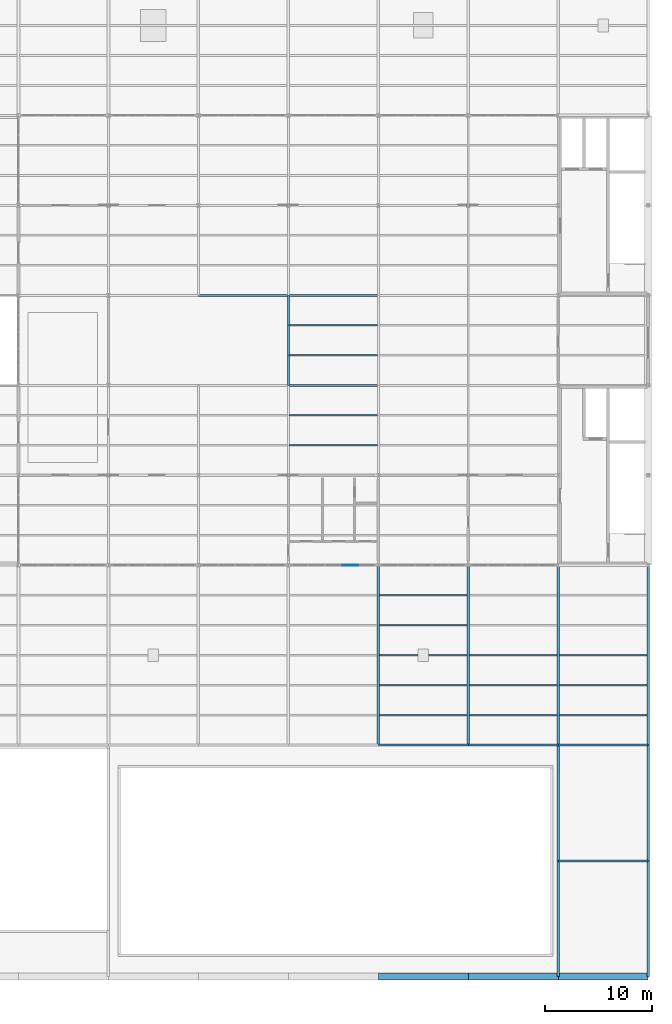
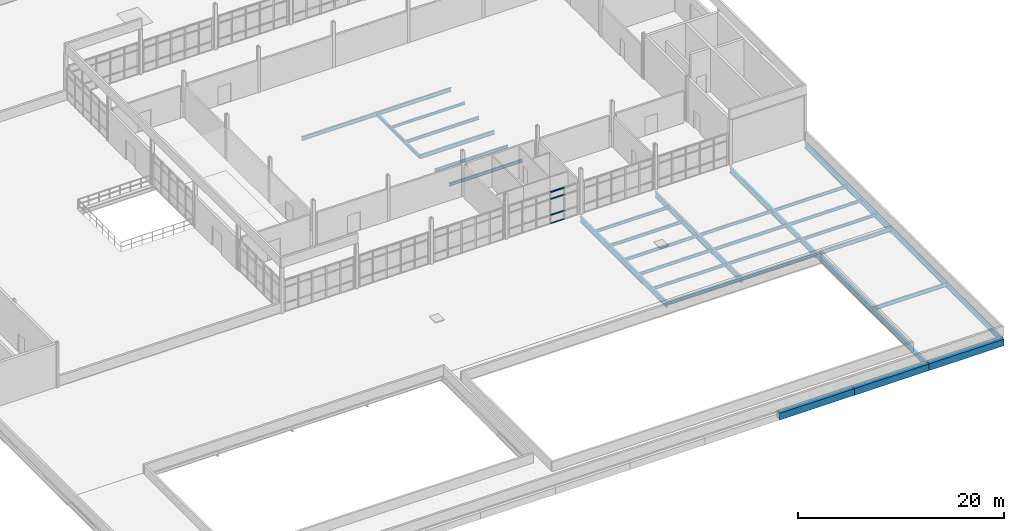
# One storey, part 12 of 33: 34 beams, 4 members, 1 element without a shape of its own.
"""IFC4 building model written with IfcOpenShell, lengths in metres."""

import ifcopenshell
import ifcopenshell.guid

model = None  # the IFC model being written
_history = None  # IfcOwnerHistory: only IFC2X3 demands one
_inside = {}  # id of a spatial element -> (the spatial element, [elements in it])
_under = {}  # id of a project, library or spatial element -> (it, [spatial elements below it])
_declared = {}  # id of a project -> (the project, [libraries it declares])
_typed = {}  # id of a type object -> (the type object, [elements of that type])
_made_of = {}  # id of a material, layer set ... -> (it, [elements and type objects made of it])


def new_model(schema):
    """Start an empty IFC model of exactly this schema.

    Asked for "IFC4X3", IfcOpenShell would pick the latest addendum, in which some entities
    have other attributes; the version numbers below select the first issue.
    IFC2X3 requires an IfcOwnerHistory on every rooted entity: one is made here for all.
    """
    global model, _history
    if schema == "IFC4X3":
        model = ifcopenshell.file(schema_version=(4, 3, 0, 0))
    else:
        model = ifcopenshell.file(schema=schema)
    _inside.clear()
    _under.clear()
    _declared.clear()
    _typed.clear()
    _made_of.clear()
    _history = None
    if model.schema == "IFC2X3":
        org = make("IfcOrganization", Name="unknown")
        user = make(
            "IfcPersonAndOrganization",
            ThePerson=make("IfcPerson", FamilyName="unknown"),
            TheOrganization=org,
        )
        app = make(
            "IfcApplication",
            ApplicationDeveloper=org,
            Version="unknown",
            ApplicationFullName="unknown",
            ApplicationIdentifier="unknown",
        )
        _history = make(
            "IfcOwnerHistory",
            OwningUser=user,
            OwningApplication=app,
            ChangeAction="ADDED",
            CreationDate=0,
        )
    return model


def make(cls, **values):
    """One entity of the class cls with the attributes given. An attribute that is None is left unset."""
    return model.create_entity(
        cls, **{name: value for name, value in values.items() if value is not None}
    )


def rooted(cls, **values):
    """An entity with a GlobalId (a new one), such as an element, a storey or a relation."""
    return make(cls, GlobalId=ifcopenshell.guid.new(), OwnerHistory=_history, **values)


def si_unit(unit_type, name, prefix=None):
    """IfcSIUnit, for example si_unit("LENGTHUNIT", "METRE", prefix="MILLI")."""
    return make("IfcSIUnit", UnitType=unit_type, Prefix=prefix, Name=name)


def assignment(units):
    """IfcUnitAssignment: the units of a project."""
    return None if units is None else make("IfcUnitAssignment", Units=units)


def point(xyz):
    """IfcCartesianPoint."""
    return None if xyz is None else make("IfcCartesianPoint", Coordinates=xyz)


def direction(xyz):
    """IfcDirection."""
    return None if xyz is None else make("IfcDirection", DirectionRatios=xyz)


def frame(location, z_axis=None, x_axis=None):
    """IfcAxis2Placement3D, a coordinate frame: its origin and axes. An axis left out is left unset."""
    return make(
        "IfcAxis2Placement3D",
        Location=point(location),
        Axis=direction(z_axis),
        RefDirection=direction(x_axis),
    )


def frame_2d(location, x_axis=None):
    """IfcAxis2Placement2D, a coordinate frame in the plane: its origin and x axis."""
    return make(
        "IfcAxis2Placement2D", Location=point(location), RefDirection=direction(x_axis)
    )


def origin():
    """The frame at (0, 0, 0) with its axes left unset."""
    return frame((0.0, 0.0, 0.0))


def origin_2d():
    """The frame at (0, 0) in the plane with its x axis left unset."""
    return frame_2d((0.0, 0.0))


def place(relative_to, where):
    """IfcLocalPlacement: puts the frame where relative to a parent placement (None: the world)."""
    return make(
        "IfcLocalPlacement", PlacementRelTo=relative_to, RelativePlacement=where
    )


def context(
    kind, dimensions, precision=None, world=None, true_north=None, identifier=None
):
    """IfcGeometricRepresentationContext, for example the 3D "Model" context."""
    return make(
        "IfcGeometricRepresentationContext",
        ContextIdentifier=identifier,
        ContextType=kind,
        CoordinateSpaceDimension=dimensions,
        Precision=precision,
        WorldCoordinateSystem=world,
        TrueNorth=true_north,
    )


def subcontext(parent, identifier, kind, view, scale=None):
    """IfcGeometricRepresentationSubContext, for example "Body" below "Model"."""
    return make(
        "IfcGeometricRepresentationSubContext",
        ContextIdentifier=identifier,
        ContextType=kind,
        ParentContext=parent,
        TargetScale=scale,
        TargetView=view,
    )


def project(units=None, contexts=None):
    """IfcProject with its units and contexts."""
    return rooted(
        "IfcProject",
        Name="project",
        RepresentationContexts=contexts,
        UnitsInContext=assignment(units),
    )


def spatial(cls, under=None, at=None, **own):
    """A site, building, storey or space (cls), placed at a placement, below another one or the project."""
    s = rooted(cls, ObjectPlacement=at, **own)
    if under is not None:
        _under.setdefault(under.id(), (under, []))[1].append(s)
    return s


def profile(cls, at=None, kind="AREA", **sizes):
    """A parametric profile (cls). Its sizes go by their IFC names, for example OverallWidth=200.0."""
    return make(cls, ProfileType=kind, Position=at, **sizes)


def rectangle(**sizes):
    """IfcRectangleProfileDef."""
    return profile("IfcRectangleProfileDef", **sizes)


def i_section(**sizes):
    """IfcIShapeProfileDef."""
    return profile("IfcIShapeProfileDef", **sizes)


def extrude(swept, where, along, depth):
    """IfcExtrudedAreaSolid: the profile swept, set in the frame where, extruded along a direction by depth."""
    return make(
        "IfcExtrudedAreaSolid",
        SweptArea=swept,
        Position=where,
        ExtrudedDirection=direction(along),
        Depth=depth,
    )


def shape(context_of_items, identifier, shape_type, items):
    """IfcShapeRepresentation: the items that make up one representation, for example the "Body"."""
    return make(
        "IfcShapeRepresentation",
        ContextOfItems=context_of_items,
        RepresentationIdentifier=identifier,
        RepresentationType=shape_type,
        Items=items,
    )


def material(Name=None, Category=None):
    """IfcMaterial."""
    return make("IfcMaterial", Name=Name, Category=Category)


def layer(
    of_material, thickness, ventilated=None, Name=None, Category=None, Priority=None
):
    """IfcMaterialLayer: one layer of a wall or slab, of a material (None: an air gap)."""
    return make(
        "IfcMaterialLayer",
        Material=of_material,
        LayerThickness=thickness,
        IsVentilated=ventilated,
        Name=Name,
        Category=Category,
        Priority=Priority,
    )


def layer_set(layers, Name=None):
    """IfcMaterialLayerSet."""
    return make("IfcMaterialLayerSet", MaterialLayers=layers, LayerSetName=Name)


def material_profile(
    of_material, cross_section, Name=None, Category=None, Priority=None
):
    """IfcMaterialProfile: a cross section and its material."""
    return make(
        "IfcMaterialProfile",
        Name=Name,
        Material=of_material,
        Profile=cross_section,
        Priority=Priority,
        Category=Category,
    )


def profile_set(profiles, Name=None, composite=None):
    """IfcMaterialProfileSet."""
    return make(
        "IfcMaterialProfileSet",
        Name=Name,
        MaterialProfiles=profiles,
        CompositeProfile=composite,
    )


def made_of(thing, what):
    """Note that an element or type object is made of a material, layer set ...; save() writes the relation."""
    if what is not None:
        _made_of.setdefault(what.id(), (what, []))[1].append(thing)
    return thing


def type_object(cls, material=None, **own):
    """A type object (cls), such as IfcWallType, which elements share."""
    return made_of(rooted(cls, **own), material)


def element(
    cls,
    number,
    at=None,
    inside=None,
    cuts=None,
    type_object=None,
    material=None,
    context=None,
    identifier="Body",
    shape_type=None,
    held_by="IfcProductDefinitionShape",
    body=None,
    shapes=None,
    **own,
):
    """One element of the class cls, such as IfcWall. Its Tag is "e" and its number.

    at: its placement. inside: the storey or other place that contains it. cuts: it is an
    opening in that element (IfcRelVoidsElement). A single representation is given by context,
    identifier, shape_type and body (its items); several are given by shapes. held_by: the class
    of the entity that holds the representations. save() writes the other relations.
    """
    e = rooted(cls, Tag="e%d" % number, ObjectPlacement=at, **own)
    if body is not None:
        shapes = [shape(context, identifier, shape_type, body)]
    if shapes is not None:
        e.Representation = make(held_by, Representations=shapes)
    if inside is not None:
        _inside.setdefault(inside.id(), (inside, []))[1].append(e)
    if cuts is not None:
        rooted(
            "IfcRelVoidsElement", RelatingBuildingElement=cuts, RelatedOpeningElement=e
        )
    if type_object is not None:
        _typed.setdefault(type_object.id(), (type_object, []))[1].append(e)
    return made_of(e, material)


def aggregate(whole, parts):
    """IfcRelAggregates: a whole, such as a stair, and the parts it consists of."""
    return rooted("IfcRelAggregates", RelatingObject=whole, RelatedObjects=parts)


def save(model, path):
    """Write the relations noted so far, then the file.

    IfcRelAggregates (storeys below a building ...), IfcRelContainedInSpatialStructure (elements
    in a storey), IfcRelDefinesByType, IfcRelAssociatesMaterial and IfcRelDeclares: one each for
    every whole, place, type object, material and project.
    """
    for whole, parts in _under.values():
        aggregate(whole, parts)
    for where, things in _inside.values():
        rooted(
            "IfcRelContainedInSpatialStructure",
            RelatedElements=things,
            RelatingStructure=where,
        )
    for kind, things in _typed.values():
        rooted("IfcRelDefinesByType", RelatedObjects=things, RelatingType=kind)
    for what, things in _made_of.values():
        rooted("IfcRelAssociatesMaterial", RelatedObjects=things, RelatingMaterial=what)
    for by, libraries in _declared.values():
        rooted("IfcRelDeclares", RelatingContext=by, RelatedDefinitions=libraries)
    model.write(path)


model = new_model("IFC4")

# Units and contexts
model_context = context("Model", 3, precision=1e-05, world=origin(), true_north=direction((0.0, 1.0)))
body_context = subcontext(model_context, "Body", "Model", "MODEL_VIEW")
ifc_project = project(units=[si_unit("LENGTHUNIT", "METRE"), si_unit("AREAUNIT", "SQUARE_METRE"), si_unit("VOLUMEUNIT", "CUBIC_METRE"), si_unit("PLANEANGLEUNIT", "RADIAN"), si_unit("MASSUNIT", "GRAM", prefix="KILO"), si_unit("THERMODYNAMICTEMPERATUREUNIT", "KELVIN"), si_unit("POWERUNIT", "WATT")], contexts=[model_context])

# Site, building, storey
site_placement = place(None, origin())
site = spatial("IfcSite", under=ifc_project, at=site_placement, CompositionType="ELEMENT")
building_placement = place(site_placement, origin())
building = spatial("IfcBuilding", under=site, at=building_placement, Name="Tembeka Court Mobility Hub", CompositionType="ELEMENT")
storey_placement = place(building_placement, frame((0.0, 0.0, 23.39990234375)))
storey = spatial("IfcBuildingStorey", under=building, at=storey_placement, Name="L06", CompositionType="ELEMENT", Elevation=23.39990234375)

# Beams
ifc_material_1 = material(Name="Steel S355", Category="steel")
ifc_material_profile_1 = material_profile(ifc_material_1, i_section(OverallWidth=0.18994140625, OverallDepth=0.45703125, WebThickness=0.009033203125, FlangeThickness=0.014404296875, FilletRadius=0.01025390625, at=origin_2d()), Name="UKB 457x191x74")
ifc_profile_set_1 = profile_set([ifc_material_profile_1], Name="Steel S355")
beam_type_1 = type_object("IfcBeamType", Name="BM-B01", PredefinedType="BEAM", material=ifc_profile_set_1)
beam_1_placement = place(storey_placement, frame((84.0, 10.800048828125, -0.45849609375), z_axis=(1.0, 0.0, 0.0), x_axis=(0.0, 1.0, 0.0)))
element("IfcBeam", 1, at=beam_1_placement, inside=storey, type_object=beam_type_1, Name="Beam B01 (BM-L06-X3099)", PredefinedType="BEAM", context=body_context, shape_type="SweptSolid", body=[
    extrude(i_section(OverallWidth=0.18994140625, OverallDepth=0.45703125, WebThickness=0.009033203125, FlangeThickness=0.014404296875, FilletRadius=0.01025390625, at=origin_2d()), origin(), (0.0, 0.0, 1.0), 8.39990234375),
])
beam_2_placement = place(storey_placement, frame((67.199951171875, 21.60009765625, -0.45849609375), z_axis=(1.0, 0.0, 0.0), x_axis=(0.0, 1.0, 0.0)))
element("IfcBeam", 2, at=beam_2_placement, inside=storey, type_object=beam_type_1, Name="Beam B01 (BM-L06-X3108)", PredefinedType="BEAM", context=body_context, shape_type="SweptSolid", body=[
    extrude(i_section(OverallWidth=0.18994140625, OverallDepth=0.45703125, WebThickness=0.009033203125, FlangeThickness=0.014404296875, FilletRadius=0.01025390625, at=origin_2d()), origin(), (0.0, 0.0, 1.0), 8.400146484375),
])
for number, where, z_axis, x_axis, name in (
    (3, (75.60009765625, 21.60009765625, -0.45849609375), (1.0, 0.0, 0.0), (0.0, 1.0, 0.0), "Beam B01 (BM-L06-X3109)"),
    (4, (84.0, 21.60009765625, -0.45849609375), (1.0, 0.0, 0.0), (0.0, 1.0, 0.0), "Beam B01 (BM-L06-X3110)"),
    (5, (58.800048828125, 55.199951171875, -0.478515625), (1.0, 0.0, 0.0), (0.0, 1.0, 0.0), "Beam B01 (BM-L06-X3138)"),
):
    element("IfcBeam", number, at=place(storey_placement, frame(where, z_axis=z_axis, x_axis=x_axis)), inside=storey, type_object=beam_type_1, Name=name, PredefinedType="BEAM", context=body_context, shape_type="SweptSolid", body=[
        extrude(i_section(OverallWidth=0.18994140625, OverallDepth=0.45703125, WebThickness=0.009033203125, FlangeThickness=0.014404296875, FilletRadius=0.01025390625, at=origin_2d()), origin(), (0.0, 0.0, 1.0), 8.39990234375),
    ])
beam_3_placement = place(storey_placement, frame((50.39990234375, 63.60009765625, -0.478515625), z_axis=(1.0, 0.0, 0.0), x_axis=(0.0, 1.0, 0.0)))
element("IfcBeam", 6, at=beam_3_placement, inside=storey, type_object=beam_type_1, Name="Beam B01 (BM-L06-X3148)", PredefinedType="BEAM", context=body_context, shape_type="SweptSolid", body=[
    extrude(i_section(OverallWidth=0.18994140625, OverallDepth=0.45703125, WebThickness=0.009033203125, FlangeThickness=0.014404296875, FilletRadius=0.01025390625, at=origin_2d()), origin(), (0.0, 0.0, 1.0), 8.400146484375),
])
beam_4_placement = place(storey_placement, frame((58.800048828125, 63.60009765625, -0.478515625), z_axis=(1.0, 0.0, 0.0), x_axis=(0.0, 1.0, 0.0)))
element("IfcBeam", 7, at=beam_4_placement, inside=storey, type_object=beam_type_1, Name="Beam B01 (BM-L06-X3149)", PredefinedType="BEAM", context=body_context, shape_type="SweptSolid", body=[
    extrude(i_section(OverallWidth=0.18994140625, OverallDepth=0.45703125, WebThickness=0.009033203125, FlangeThickness=0.014404296875, FilletRadius=0.01025390625, at=origin_2d()), origin(), (0.0, 0.0, 1.0), 8.39990234375),
])
ifc_material_profile_2 = material_profile(ifc_material_1, i_section(OverallWidth=0.177978515625, OverallDepth=0.406005859375, WebThickness=0.0078125, FlangeThickness=0.0126953125, FilletRadius=0.01025390625, at=origin_2d()), Name="UKB 406x178x60")
ifc_profile_set_2 = profile_set([ifc_material_profile_2], Name="Steel S355")
beam_type_2 = type_object("IfcBeamType", Name="BM-B02", PredefinedType="BEAM", material=ifc_profile_set_2)
beam_5_placement = place(storey_placement, frame((58.800048828125, 55.199951171875, -0.452880859375), z_axis=(0.0, 1.0, 0.0), x_axis=(-1.0, 0.0, 0.0)))
element("IfcBeam", 8, at=beam_5_placement, inside=storey, type_object=beam_type_2, Name="Beam B02 (BM-L06-Y3257)", PredefinedType="BEAM", context=body_context, shape_type="SweptSolid", body=[
    extrude(i_section(OverallWidth=0.177978515625, OverallDepth=0.406005859375, WebThickness=0.0078125, FlangeThickness=0.0126953125, FilletRadius=0.01025390625, at=origin_2d()), origin(), (0.0, 0.0, 1.0), 8.400146484375),
])
ifc_material_profile_3 = material_profile(ifc_material_1, i_section(OverallWidth=0.25390625, OverallDepth=0.68408203125, WebThickness=0.012451171875, FlangeThickness=0.01904296875, FilletRadius=0.01513671875, at=origin_2d()), Name="UKB 686x254x140")
ifc_profile_set_3 = profile_set([ifc_material_profile_3], Name="Steel S355")
beam_type_3 = type_object("IfcBeamType", Name="BM-G01", PredefinedType="USERDEFINED", material=ifc_profile_set_3)
for number, where, z_axis, x_axis, name in (
    (9, (67.199951171875, 21.60009765625, -0.591796875), (0.0, 1.0, 0.0), (-1.0, 0.0, 0.0), "Beam G01 (BM-L06-Y3261)"),
    (10, (75.60009765625, 21.60009765625, -0.591796875), (0.0, 1.0, 0.0), (-1.0, 0.0, 0.0), "Beam G01 (BM-L06-Y3268)"),
    (11, (84.0, 21.60009765625, -0.591796875), (0.0, 1.0, 0.0), (-1.0, 0.0, 0.0), "Beam G01 (BM-L06-Y3277)"),
    (12, (92.39990234375, 21.60009765625, -0.591796875), (0.0, 1.0, 0.0), (-1.0, 0.0, 0.0), "Beam G01 (BM-L06-Y3288)"),
):
    element("IfcBeam", number, at=place(storey_placement, frame(where, z_axis=z_axis, x_axis=x_axis)), inside=storey, type_object=beam_type_3, Name=name, ObjectType="GIRDER", PredefinedType="USERDEFINED", context=body_context, shape_type="SweptSolid", body=[
        extrude(i_section(OverallWidth=0.25390625, OverallDepth=0.68408203125, WebThickness=0.012451171875, FlangeThickness=0.01904296875, FilletRadius=0.01513671875, at=origin_2d()), origin(), (0.0, 0.0, 1.0), 16.7998046875),
    ])
ifc_material_profile_4 = material_profile(ifc_material_1, i_section(OverallWidth=0.22900390625, OverallDepth=0.612060546875, WebThickness=0.011962890625, FlangeThickness=0.01953125, FilletRadius=0.0126953125, at=origin_2d()), Name="UKB 610x229x125")
ifc_profile_set_4 = profile_set([ifc_material_profile_4], Name="Steel S355")
beam_type_4 = type_object("IfcBeamType", Name="BM-G02", PredefinedType="USERDEFINED", material=ifc_profile_set_4)
for number, where, z_axis, x_axis, name in (
    (13, (84.0, 0.0, -0.535888671875), (0.0, 1.0, 0.0), (-1.0, 0.0, 0.0), "Beam G02 (BM-L06-Y3275)"),
    (14, (84.0, 10.800048828125, -0.535888671875), (0.0, 1.0, 0.0), (-1.0, 0.0, 0.0), "Beam G02 (BM-L06-Y3276)"),
    (15, (92.39990234375, 0.0, -0.535888671875), (0.0, 1.0, 0.0), (-1.0, 0.0, 0.0), "Beam G02 (BM-L06-Y3286)"),
    (16, (92.39990234375, 10.800048828125, -0.535888671875), (0.0, 1.0, 0.0), (-1.0, 0.0, 0.0), "Beam G02 (BM-L06-Y3287)"),
):
    element("IfcBeam", number, at=place(storey_placement, frame(where, z_axis=z_axis, x_axis=x_axis)), inside=storey, type_object=beam_type_4, Name=name, ObjectType="GIRDER", PredefinedType="USERDEFINED", context=body_context, shape_type="SweptSolid", body=[
        extrude(i_section(OverallWidth=0.22900390625, OverallDepth=0.612060546875, WebThickness=0.011962890625, FlangeThickness=0.01953125, FilletRadius=0.0126953125, at=origin_2d()), origin(), (0.0, 0.0, 1.0), 10.800048828125),
    ])
ifc_material_profile_5 = material_profile(ifc_material_1, i_section(OverallWidth=0.172119140625, OverallDepth=0.35498046875, WebThickness=0.00732421875, FlangeThickness=0.011474609375, FilletRadius=0.01025390625, at=origin_2d()), Name="UKB 356x171x51")
ifc_profile_set_5 = profile_set([ifc_material_profile_5], Name="Steel S355")
beam_type_5 = type_object("IfcBeamType", Name="BM-J01", PredefinedType="JOIST", material=ifc_profile_set_5)
for number, where, z_axis, x_axis, name in (
    (17, (67.322021484375, 24.39990234375, -0.407470703125), (1.0, 0.0, 0.0), (0.0, 1.0, 0.0), "Beam J01 (JST-L06-3441)"),
    (18, (67.322021484375, 27.199951171875, -0.407470703125), (1.0, 0.0, 0.0), (0.0, 1.0, 0.0), "Beam J01 (JST-L06-3442)"),
    (19, (67.322021484375, 30.0, -0.407470703125), (1.0, 0.0, 0.0), (0.0, 1.0, 0.0), "Beam J01 (JST-L06-3443)"),
    (20, (67.322021484375, 32.800048828125, -0.407470703125), (1.0, 0.0, 0.0), (0.0, 1.0, 0.0), "Beam J01 (JST-L06-3444)"),
    (21, (67.322021484375, 35.60009765625, -0.407470703125), (1.0, 0.0, 0.0), (0.0, 1.0, 0.0), "Beam J01 (JST-L06-3445)"),
    (22, (75.721923828125, 24.39990234375, -0.407470703125), (1.0, 0.0, 0.0), (0.0, 1.0, 0.0), "Beam J01 (JST-L06-3461)"),
    (23, (75.721923828125, 27.199951171875, -0.407470703125), (1.0, 0.0, 0.0), (0.0, 1.0, 0.0), "Beam J01 (JST-L06-3462)"),
    (24, (75.721923828125, 30.0, -0.407470703125), (1.0, 0.0, 0.0), (0.0, 1.0, 0.0), "Beam J01 (JST-L06-3463)"),
    (25, (84.1220703125, 24.39990234375, -0.407470703125), (1.0, 0.0, 0.0), (0.0, 1.0, 0.0), "Beam J01 (JST-L06-3481)"),
    (26, (84.1220703125, 27.199951171875, -0.407470703125), (1.0, 0.0, 0.0), (0.0, 1.0, 0.0), "Beam J01 (JST-L06-3482)"),
    (27, (84.1220703125, 30.0, -0.407470703125), (1.0, 0.0, 0.0), (0.0, 1.0, 0.0), "Beam J01 (JST-L06-3483)"),
):
    element("IfcBeam", number, at=place(storey_placement, frame(where, z_axis=z_axis, x_axis=x_axis)), inside=storey, type_object=beam_type_5, Name=name, PredefinedType="JOIST", context=body_context, shape_type="SweptSolid", body=[
        extrude(i_section(OverallWidth=0.172119140625, OverallDepth=0.35498046875, WebThickness=0.00732421875, FlangeThickness=0.011474609375, FilletRadius=0.01025390625, at=origin_2d()), origin(), (0.0, 0.0, 1.0), 8.156005859375),
    ])
ifc_material_profile_6 = material_profile(ifc_material_1, i_section(OverallWidth=0.1650390625, OverallDepth=0.303955078125, WebThickness=0.006103515625, FlangeThickness=0.01025390625, FilletRadius=0.0087890625, at=origin_2d()), Name="UKB 305x165x40")
ifc_profile_set_6 = profile_set([ifc_material_profile_6], Name="Steel S355")
beam_type_6 = type_object("IfcBeamType", Name="BM-J02", PredefinedType="JOIST", material=ifc_profile_set_6)
for number, where, z_axis, x_axis, name in (
    (28, (58.884033203125, 52.39990234375, -0.40185546875), (1.0, 0.0, 0.0), (0.0, 1.0, 0.0), "Beam J02 (JST-L06-3429)"),
    (29, (58.884033203125, 60.800048828125, -0.40185546875), (1.0, 0.0, 0.0), (0.0, 1.0, 0.0), "Beam J02 (JST-L06-3431)"),
):
    element("IfcBeam", number, at=place(storey_placement, frame(where, z_axis=z_axis, x_axis=x_axis)), inside=storey, type_object=beam_type_6, Name=name, PredefinedType="JOIST", context=body_context, shape_type="SweptSolid", body=[
        extrude(i_section(OverallWidth=0.1650390625, OverallDepth=0.303955078125, WebThickness=0.006103515625, FlangeThickness=0.01025390625, FilletRadius=0.0087890625, at=origin_2d()), origin(), (0.0, 0.0, 1.0), 8.23193359375),
    ])
ifc_material_profile_7 = material_profile(ifc_material_1, i_section(OverallWidth=0.169921875, OverallDepth=0.360107421875, WebThickness=0.008056640625, FlangeThickness=0.0126953125, FilletRadius=0.01806640625, at=origin_2d()), Name="IPE 360")
ifc_profile_set_7 = profile_set([ifc_material_profile_7], Name="Steel S355")
beam_type_7 = type_object("IfcBeamType", Name="BM-J03", PredefinedType="JOIST", material=ifc_profile_set_7)
for number, where, z_axis, x_axis, name in (
    (30, (58.884033203125, 49.60009765625, -0.429931640625), (1.0, 0.0, 0.0), (0.0, 1.0, 0.0), "Beam J03 (JST-L06-3428)"),
    (31, (58.884033203125, 58.0, -0.429931640625), (1.0, 0.0, 0.0), (0.0, 1.0, 0.0), "Beam J03 (JST-L06-3430)"),
):
    element("IfcBeam", number, at=place(storey_placement, frame(where, z_axis=z_axis, x_axis=x_axis)), inside=storey, type_object=beam_type_7, Name=name, PredefinedType="JOIST", context=body_context, shape_type="SweptSolid", body=[
        extrude(i_section(OverallWidth=0.169921875, OverallDepth=0.360107421875, WebThickness=0.008056640625, FlangeThickness=0.0126953125, FilletRadius=0.01806640625, at=origin_2d()), origin(), (0.0, 0.0, 1.0), 8.23193359375),
    ])
ifc_material_2 = material(Name="Precast concrete C45/55", Category="concrete")
ifc_material_profile_8 = material_profile(ifc_material_2, rectangle(XDim=0.64990234375, YDim=0.800048828125, at=origin_2d()), Name="PC-SP 650x800")
ifc_profile_set_8 = profile_set([ifc_material_profile_8], Name="Precast concrete C45/55")
beam_type_8 = type_object("IfcBeamType", Name="BM-SP01", PredefinedType="SPANDREL", material=ifc_profile_set_8)
beam_6_placement = place(storey_placement, frame((67.199951171875, 0.0, -0.6298828125), z_axis=(1.0, 0.0, 0.0), x_axis=(0.0, 1.0, 0.0)))
element("IfcBeam", 32, at=beam_6_placement, inside=storey, type_object=beam_type_8, Name="Beam SP01 (BM-L06-X3095)", PredefinedType="SPANDREL", context=body_context, shape_type="SweptSolid", body=[
    extrude(rectangle(XDim=0.64990234375, YDim=0.800048828125, at=origin_2d()), origin(), (0.0, 0.0, 1.0), 8.400146484375),
])
for number, where, z_axis, x_axis, name in (
    (33, (75.60009765625, 0.0, -0.6298828125), (1.0, 0.0, 0.0), (0.0, 1.0, 0.0), "Beam SP01 (BM-L06-X3096)"),
    (34, (84.0, 0.0, -0.6298828125), (1.0, 0.0, 0.0), (0.0, 1.0, 0.0), "Beam SP01 (BM-L06-X3097)"),
):
    element("IfcBeam", number, at=place(storey_placement, frame(where, z_axis=z_axis, x_axis=x_axis)), inside=storey, type_object=beam_type_8, Name=name, PredefinedType="SPANDREL", context=body_context, shape_type="SweptSolid", body=[
        extrude(rectangle(XDim=0.64990234375, YDim=0.800048828125, at=origin_2d()), origin(), (0.0, 0.0, 1.0), 8.39990234375),
    ])

# Curtain wall, members
ifc_material_3 = material(Name="Anodised aluminium 6063-T6", Category="aluminium")
ifc_layer = layer(ifc_material_3, 0.159912109375)
ifc_layer_set = layer_set([ifc_layer], Name="Anodised aluminium 6063-T6")
curtain_wall_type = type_object("IfcCurtainWallType", Name="CW-SYS57", PredefinedType="USERDEFINED", material=ifc_layer_set)
curtain_wall_placement = place(storey_placement, origin())
curtain_wall = element("IfcCurtainWall", 35, at=curtain_wall_placement, inside=storey, type_object=curtain_wall_type, Name="Unitised curtain wall CW57 (CW-L06-158)", ObjectType="UNITISED GLAZING", PredefinedType="USERDEFINED")
ifc_material_profile_9 = material_profile(ifc_material_3, rectangle(XDim=0.06494140625, YDim=0.1201171875, at=origin_2d()), Name="ALU-TRN 65x120")
ifc_profile_set_9 = profile_set([ifc_material_profile_9], Name="Anodised aluminium 6063-T6")
member_type = type_object("IfcMemberType", Name="CW-TRN01", PredefinedType="USERDEFINED", material=ifc_profile_set_9)
member_1_placement = place(storey_placement, frame((63.81640625, 38.39990234375, 0.03271484375), z_axis=(1.0, 0.0, 0.0), x_axis=(0.0, 1.0, 0.0)))
member_1 = element("IfcMember", 36, at=member_1_placement, type_object=member_type, Name="CW57 transom 4.1", ObjectType="TRANSOM", PredefinedType="USERDEFINED", context=body_context, shape_type="SweptSolid", body=[
    extrude(rectangle(XDim=0.06494140625, YDim=0.1201171875, at=origin_2d()), origin(), (0.0, 0.0, 1.0), 1.503173828125),
])
member_2_placement = place(storey_placement, frame((63.81640625, 38.39990234375, 1.050048828125), z_axis=(1.0, 0.0, 0.0), x_axis=(0.0, 1.0, 0.0)))
member_2 = element("IfcMember", 37, at=member_2_placement, type_object=member_type, Name="CW57 transom 4.2", ObjectType="TRANSOM", PredefinedType="USERDEFINED", context=body_context, shape_type="SweptSolid", body=[
    extrude(rectangle(XDim=0.06494140625, YDim=0.1201171875, at=origin_2d()), origin(), (0.0, 0.0, 1.0), 1.503173828125),
])
member_3_placement = place(storey_placement, frame((63.81640625, 38.39990234375, 2.945068359375), z_axis=(1.0, 0.0, 0.0), x_axis=(0.0, 1.0, 0.0)))
member_3 = element("IfcMember", 38, at=member_3_placement, type_object=member_type, Name="CW57 transom 4.3", ObjectType="TRANSOM", PredefinedType="USERDEFINED", context=body_context, shape_type="SweptSolid", body=[
    extrude(rectangle(XDim=0.06494140625, YDim=0.1201171875, at=origin_2d()), origin(), (0.0, 0.0, 1.0), 1.503173828125),
])
member_4_placement = place(storey_placement, frame((63.81640625, 38.39990234375, 3.7626953125), z_axis=(1.0, 0.0, 0.0), x_axis=(0.0, 1.0, 0.0)))
member_4 = element("IfcMember", 39, at=member_4_placement, type_object=member_type, Name="CW57 transom 4.4", ObjectType="TRANSOM", PredefinedType="USERDEFINED", context=body_context, shape_type="SweptSolid", body=[
    extrude(rectangle(XDim=0.06494140625, YDim=0.1201171875, at=origin_2d()), origin(), (0.0, 0.0, 1.0), 1.503173828125),
])
aggregate(curtain_wall, [member_1, member_2, member_3, member_4])

save(model, "model.ifc")
